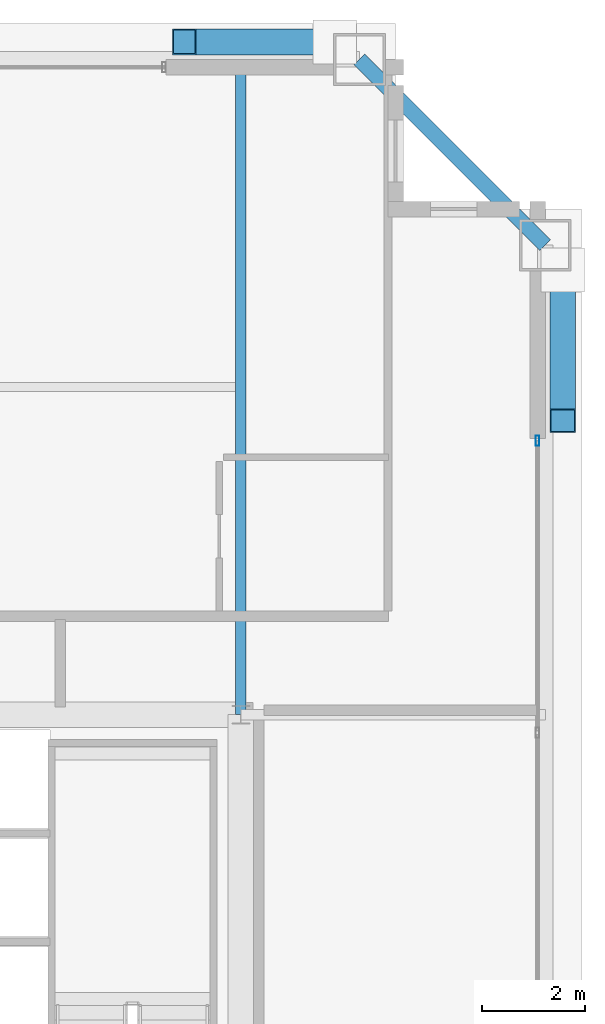
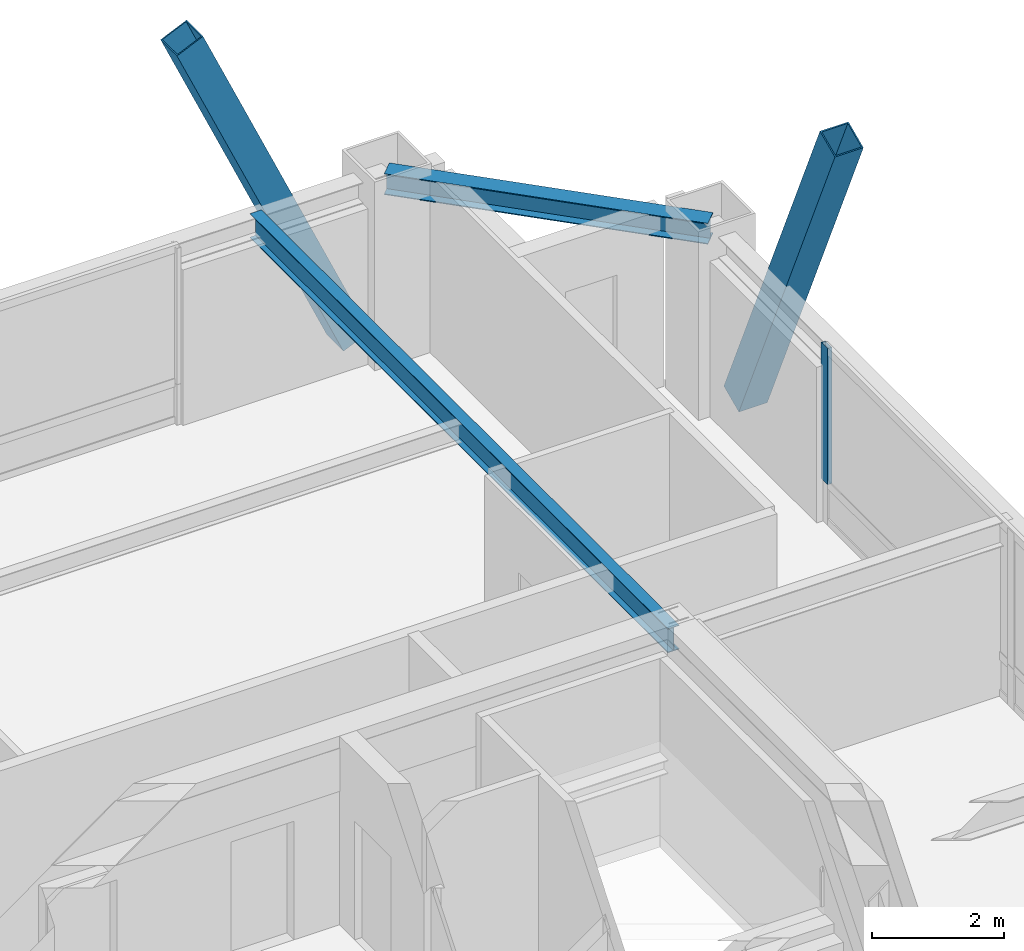
# One storey, part 19 of 34: 3 members, 2 beams, 1 element without a shape of its own.
"""IFC4 building model written with IfcOpenShell, lengths in metres."""

from ifc_helpers import new_model, si_unit, direction, frame, origin, origin_2d, place, context, subcontext, project, spatial, hollow_rectangle, i_section, extrude, source, transform, mapped, material, layer, layer_set, material_profile, profile_set, type_object, element, aggregate, save


model = new_model("IFC4")

# Units and contexts
model_context = context("Model", 3, precision=1e-05, world=origin(), true_north=direction((0.0, 1.0)))
body_context = subcontext(model_context, "Body", "Model", "MODEL_VIEW")
ifc_project = project(units=[si_unit("LENGTHUNIT", "METRE"), si_unit("AREAUNIT", "SQUARE_METRE"), si_unit("VOLUMEUNIT", "CUBIC_METRE"), si_unit("PLANEANGLEUNIT", "RADIAN"), si_unit("MASSUNIT", "GRAM", prefix="KILO"), si_unit("THERMODYNAMICTEMPERATUREUNIT", "KELVIN"), si_unit("POWERUNIT", "WATT")], contexts=[model_context])

# Site, building, storey
site_placement = place(None, origin())
site = spatial("IfcSite", under=ifc_project, at=site_placement, CompositionType="ELEMENT")
building_placement = place(site_placement, origin())
building = spatial("IfcBuilding", under=site, at=building_placement, Name="Yuzanri Waterfront Tower", CompositionType="ELEMENT")
storey_placement = place(building_placement, frame((0.0, 0.0, 328.699951171875)))
storey = spatial("IfcBuildingStorey", under=building, at=storey_placement, Name="L88", CompositionType="ELEMENT", Elevation=328.699951171875)

# Beams
ifc_material_1 = material(Name="Steel Q355B", Category="steel")
ifc_material_profile_1 = material_profile(ifc_material_1, i_section(OverallWidth=0.300048828125, OverallDepth=0.389892578125, WebThickness=0.010009765625, FlangeThickness=0.01611328125, at=origin_2d()), Name="HM 390x300x10x16")
ifc_profile_set_1 = profile_set([ifc_material_profile_1], Name="Steel Q355B")
beam_type_1 = type_object("IfcBeamType", Name="Perimeter Spandrel Q355B HM 390x300", PredefinedType="SPANDREL", material=ifc_profile_set_1)
shared_shape_1 = source(origin(), body_context, "Body", "SweptSolid", [
    extrude(i_section(OverallWidth=0.300048828125, OverallDepth=0.389892578125, WebThickness=0.010009765625, FlangeThickness=0.01611328125, at=origin_2d()), origin(), (0.0, 0.0, 1.0), 5.091064453125),
])
beam_1_placement = place(storey_placement, frame((56.10009765625, 41.300048828125, 3.0849609375), z_axis=(-0.707130757816, 0.707082803744, 0.0), x_axis=(-0.707082803744, -0.707130757816, 0.0)))
element("IfcBeam", 1, at=beam_1_placement, inside=storey, type_object=beam_type_1, Name="L88 Perimeter Spandrel E3-N3", PredefinedType="SPANDREL", context=body_context, shape_type="MappedRepresentation", body=[
    mapped(shared_shape_1, transform((0.0, 0.0, 0.0), scale=1.0)),
])
ifc_material_2 = material(Name="Steel Q355B", Category="steel")
ifc_material_profile_2 = material_profile(ifc_material_2, i_section(OverallWidth=0.199951171875, OverallDepth=0.449951171875, WebThickness=0.009033203125, FlangeThickness=0.013916015625, at=origin_2d()), Name="HN 450x200x9x14")
ifc_profile_set_2 = profile_set([ifc_material_profile_2], Name="Steel Q355B")
beam_type_2 = type_object("IfcBeamType", Name="Secondary Floor Beam Q355B HN 450x200", PredefinedType="BEAM", material=ifc_profile_set_2)
shared_shape_2 = source(origin(), body_context, "Body", "SweptSolid", [
    extrude(i_section(OverallWidth=0.199951171875, OverallDepth=0.449951171875, WebThickness=0.009033203125, FlangeThickness=0.013916015625, at=origin_2d()), origin(), (0.0, 0.0, 1.0), 12.699951171875),
])
beam_2_placement = place(storey_placement, frame((50.199951171875, 32.199951171875, 3.054931640625), z_axis=(0.0, 1.0, 0.0), x_axis=(-1.0, 0.0, 0.0)))
element("IfcBeam", 2, at=beam_2_placement, inside=storey, type_object=beam_type_2, Name="L88 North-East Core Line Beam", PredefinedType="BEAM", context=body_context, shape_type="MappedRepresentation", body=[
    mapped(shared_shape_2, transform((0.0, 0.0, 0.0), scale=1.0)),
])

# Members
ifc_material_3 = material(Name="Steel Q390GJC", Category="steel")
ifc_material_profile_3 = material_profile(ifc_material_3, hollow_rectangle(XDim=0.5, YDim=0.5, WallThickness=0.02197265625, at=origin_2d()), Name="RHS 500x500x22")
ifc_profile_set_3 = profile_set([ifc_material_profile_3], Name="Steel Q390GJC")
member_type_1 = type_object("IfcMemberType", Name="Mega Brace Upper Q390GJC RHS 500x500x22", PredefinedType="BRACE", material=ifc_profile_set_3)
shared_shape_3 = source(origin(), body_context, "Body", "SweptSolid", [
    extrude(hollow_rectangle(XDim=0.5, YDim=0.5, WallThickness=0.02197265625, at=origin_2d()), origin(), (0.0, 0.0, 1.0), 7.125732421875),
])
for number, where, z_axis, x_axis, name in (
    (3, (52.02001953125, 45.239990234375, 0.179931640625), (-0.409771952938, 0.0, 0.912187999584), (0.0, -1.0, 0.0), "L88-L89 Perimeter Mega-Brace N-R"),
    (4, (56.43994140625, 40.820068359375, 0.179931640625), (0.0, -0.409800461192, 0.912175192607), (1.0, 0.0, 0.0), "L88-L89 Perimeter Mega-Brace E-R"),
):
    element("IfcMember", number, at=place(storey_placement, frame(where, z_axis=z_axis, x_axis=x_axis)), inside=storey, type_object=member_type_1, Name=name, PredefinedType="BRACE", context=body_context, shape_type="MappedRepresentation", body=[
        mapped(shared_shape_3, transform((0.0, 0.0, 0.0), scale=1.0)),
    ])

# Curtain wall, member
ifc_material_4 = material(Name="Anodized Architectural Bronze", Category="metal")
ifc_layer = layer(ifc_material_4, 0.159912109375)
ifc_layer_set = layer_set([ifc_layer], Name="Anodized Architectural Bronze")
curtain_wall_type = type_object("IfcCurtainWallType", Name="Anodized Bronze High-Rise Penthouse High-Wind Unitized Curtain Wall 6900", PredefinedType="NOTDEFINED", material=ifc_layer_set)
curtain_wall_placement = place(storey_placement, origin())
curtain_wall = element("IfcCurtainWall", 5, at=curtain_wall_placement, inside=storey, type_object=curtain_wall_type, Name="L88 Curtain Wall CW-L88-ER", PredefinedType="NOTDEFINED")
ifc_material_5 = material(Name="Anodized Architectural Bronze", Category="metal")
ifc_material_profile_4 = material_profile(ifc_material_5, hollow_rectangle(XDim=0.074951171875, YDim=0.199951171875, WallThickness=0.00390625, at=origin_2d()), Name="CWM 75x200")
ifc_profile_set_4 = profile_set([ifc_material_profile_4], Name="Anodized Architectural Bronze")
member_type_2 = type_object("IfcMemberType", Name="Anodized Bronze Primary Curtain-Wall Mullion 75x200", PredefinedType="MULLION", material=ifc_profile_set_4)
shared_shape_4 = source(origin(), body_context, "Body", "SweptSolid", [
    extrude(hollow_rectangle(XDim=0.074951171875, YDim=0.199951171875, WallThickness=0.00390625, at=origin_2d()), origin(), (0.0, 0.0, 1.0), 2.52392578125),
])
member_placement = place(storey_placement, frame((55.949951171875, 37.510009765625, 0.756103515625), z_axis=(0.0, 0.0, 1.0), x_axis=(1.0, 0.0, 0.0)))
member = element("IfcMember", 6, at=member_placement, type_object=member_type_2, Name="CW-L88-ER Upper Mullion 02", PredefinedType="MULLION", context=body_context, shape_type="MappedRepresentation", body=[
    mapped(shared_shape_4, transform((0.0, 0.0, 0.0), scale=1.0)),
])
aggregate(curtain_wall, [member])

save(model, "model.ifc")
